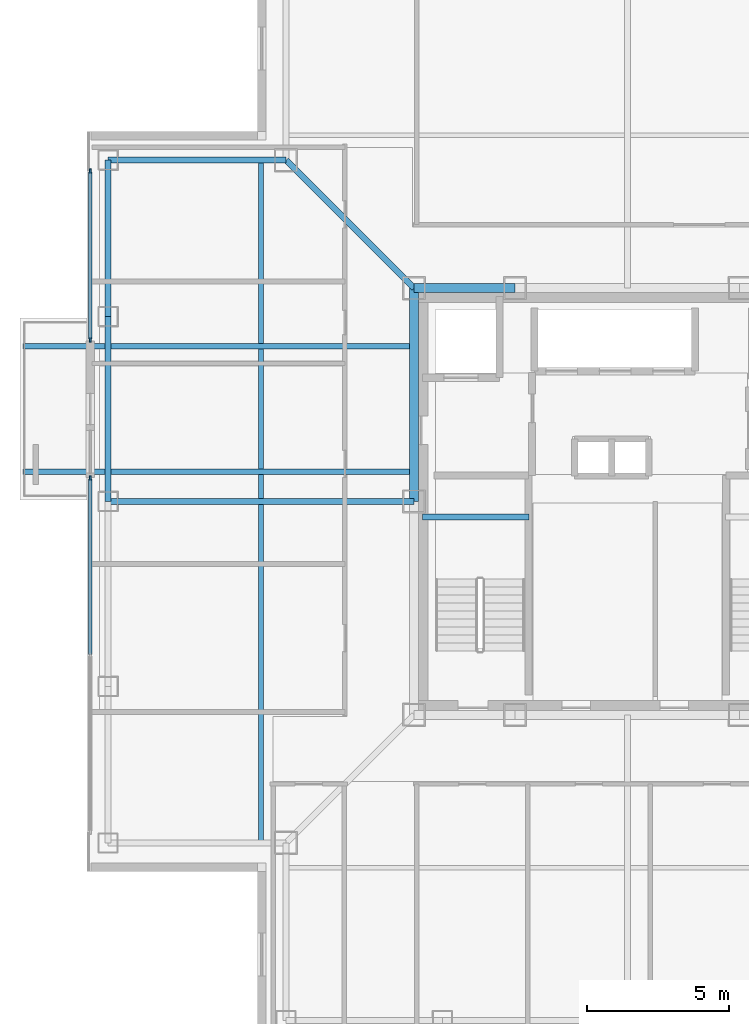
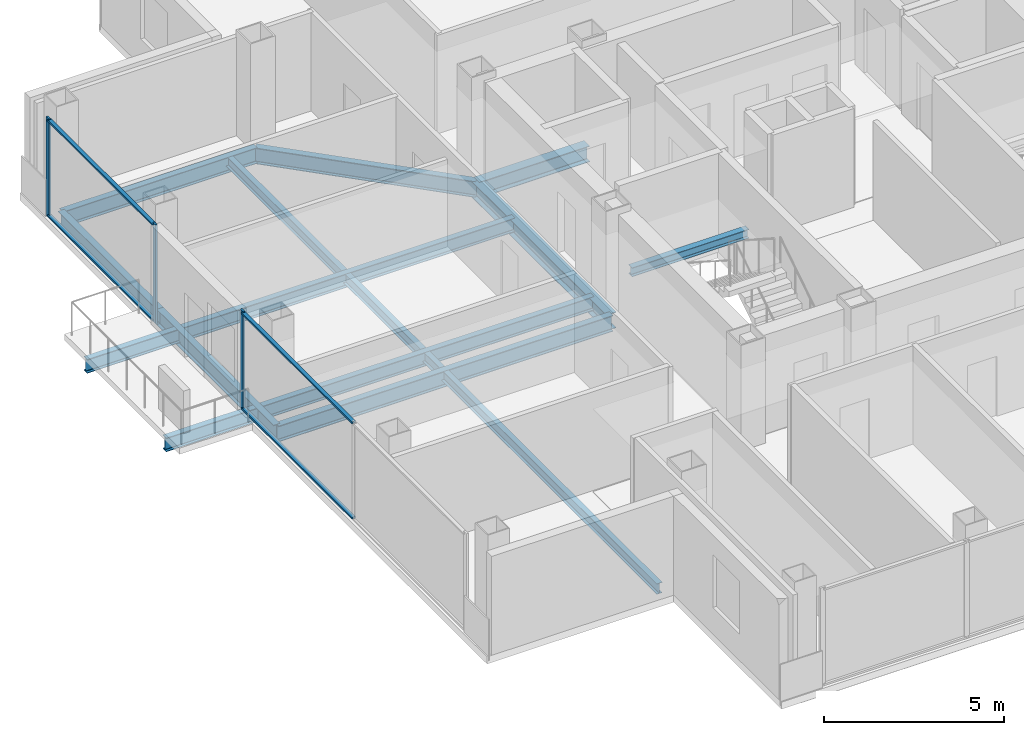
# One storey, part 4 of 13: 11 beams, 7 members, 2 elements without a shape of their own.
"""IFC4 building model written with IfcOpenShell, lengths in metres."""

from ifc_helpers import new_model, si_unit, direction, frame, origin, origin_2d, place, context, subcontext, project, spatial, rectangle, i_section, extrude, material, layer, layer_set, material_profile, profile_set, type_object, element, aggregate, save


model = new_model("IFC4")

# Units and contexts
model_context = context("Model", 3, precision=1e-05, world=origin(), true_north=direction((0.0, 1.0)))
body_context = subcontext(model_context, "Body", "Model", "MODEL_VIEW")
ifc_project = project(units=[si_unit("LENGTHUNIT", "METRE"), si_unit("AREAUNIT", "SQUARE_METRE"), si_unit("VOLUMEUNIT", "CUBIC_METRE"), si_unit("PLANEANGLEUNIT", "RADIAN"), si_unit("MASSUNIT", "GRAM", prefix="KILO")], contexts=[model_context])

# Site, building, storey
site_placement = place(None, origin())
site = spatial("IfcSite", under=ifc_project, at=site_placement, CompositionType="ELEMENT")
building_placement = place(site_placement, origin())
building = spatial("IfcBuilding", under=site, at=building_placement, Name="Trevonay Congress Spire", CompositionType="ELEMENT")
storey_placement = place(building_placement, frame((0.0, 0.0, 286.39990234375)))
storey = spatial("IfcBuildingStorey", under=building, at=storey_placement, Name="L75", CompositionType="ELEMENT", Elevation=286.39990234375)

# Beams
ifc_material_1 = material(Name="Steel ASTM A572 Grade 50", Category="steel")
ifc_material_profile_1 = material_profile(ifc_material_1, i_section(OverallWidth=0.194091796875, OverallDepth=0.468994140625, WebThickness=0.011474609375, FlangeThickness=0.01953125, FilletRadius=0.013916015625, at=origin_2d()), Name="W460x106")
ifc_profile_set_1 = profile_set([ifc_material_profile_1], Name="Steel ASTM A572 Grade 50")
beam_type_1 = type_object("IfcBeamType", Name="BM-BAL-LOOKOUT", PredefinedType="BEAM", material=ifc_profile_set_1)
for number, where, z_axis, x_axis, name in (
    (1, (-7.5, 1.050048828125, -0.474365234375), (-1.0, 0.0, 0.0), (0.0, -1.0, 0.0), "L75 structural beam LKT-L75-W1"),
    (2, (-7.5, 5.449951171875, -0.474365234375), (-1.0, 0.0, 0.0), (0.0, -1.0, 0.0), "L75 structural beam LKT-L75-W2"),
):
    element("IfcBeam", number, at=place(storey_placement, frame(where, z_axis=z_axis, x_axis=x_axis)), inside=storey, type_object=beam_type_1, Name=name, PredefinedType="BEAM", context=body_context, shape_type="SweptSolid", body=[
        extrude(i_section(OverallWidth=0.194091796875, OverallDepth=0.468994140625, WebThickness=0.011474609375, FlangeThickness=0.01953125, FilletRadius=0.013916015625, at=origin_2d()), origin(), (0.0, 0.0, 1.0), 13.75),
    ])
ifc_material_profile_2 = material_profile(ifc_material_1, i_section(OverallWidth=0.2119140625, OverallDepth=0.5439453125, WebThickness=0.01318359375, FlangeThickness=0.021240234375, FilletRadius=0.014892578125, at=origin_2d()), Name="W530x123")
ifc_profile_set_2 = profile_set([ifc_material_profile_2], Name="Steel ASTM A572 Grade 50")
beam_type_2 = type_object("IfcBeamType", Name="BM-GIRD-W530X123", PredefinedType="BEAM", material=ifc_profile_set_2)
beam_1_placement = place(storey_placement, frame((-7.5, 7.5, -0.511962890625), z_axis=(-0.707106781187, 0.707106781187, 0.0), x_axis=(-0.707106781187, -0.707106781187, 0.0)))
element("IfcBeam", 3, at=beam_1_placement, inside=storey, type_object=beam_type_2, Name="L75 structural beam BM-L75-CDNW", PredefinedType="BEAM", context=body_context, shape_type="SweptSolid", body=[
    extrude(i_section(OverallWidth=0.2119140625, OverallDepth=0.5439453125, WebThickness=0.01318359375, FlangeThickness=0.021240234375, FilletRadius=0.014892578125, at=origin_2d()), origin(), (0.0, 0.0, 1.0), 6.364013671875),
])
beam_2_placement = place(storey_placement, frame((-7.5, 0.0, -0.511962890625), z_axis=(-1.0, 0.0, 0.0), x_axis=(0.0, -1.0, 0.0)))
element("IfcBeam", 4, at=beam_2_placement, inside=storey, type_object=beam_type_2, Name="L75 structural beam BM-L75-GC-W", PredefinedType="BEAM", context=body_context, shape_type="SweptSolid", body=[
    extrude(i_section(OverallWidth=0.2119140625, OverallDepth=0.5439453125, WebThickness=0.01318359375, FlangeThickness=0.021240234375, FilletRadius=0.014892578125, at=origin_2d()), origin(), (0.0, 0.0, 1.0), 10.75),
])
ifc_material_profile_3 = material_profile(ifc_material_1, i_section(OverallWidth=0.31201171875, OverallDepth=0.54296875, WebThickness=0.0126953125, FlangeThickness=0.020263671875, FilletRadius=0.014892578125, at=origin_2d()), Name="W530x150")
ifc_profile_set_3 = profile_set([ifc_material_profile_3], Name="Steel ASTM A572 Grade 50")
beam_type_3 = type_object("IfcBeamType", Name="BM-GIRD-W530X150", PredefinedType="BEAM", material=ifc_profile_set_3)
beam_3_placement = place(storey_placement, frame((-7.5, 7.5, -0.511474609375), z_axis=(1.0, 0.0, 0.0), x_axis=(0.0, 1.0, 0.0)))
element("IfcBeam", 5, at=beam_3_placement, inside=storey, type_object=beam_type_3, Name="L75 structural beam BM-L75-CR-N1", PredefinedType="BEAM", context=body_context, shape_type="SweptSolid", body=[
    extrude(i_section(OverallWidth=0.31201171875, OverallDepth=0.54296875, WebThickness=0.0126953125, FlangeThickness=0.020263671875, FilletRadius=0.014892578125, at=origin_2d()), origin(), (0.0, 0.0, 1.0), 3.550048828125),
])
beam_4_placement = place(storey_placement, frame((-7.5, 0.0, -0.511474609375), z_axis=(0.0, 1.0, 0.0), x_axis=(-1.0, 0.0, 0.0)))
element("IfcBeam", 6, at=beam_4_placement, inside=storey, type_object=beam_type_3, Name="L75 structural beam BM-L75-CR-W2", PredefinedType="BEAM", context=body_context, shape_type="SweptSolid", body=[
    extrude(i_section(OverallWidth=0.31201171875, OverallDepth=0.54296875, WebThickness=0.0126953125, FlangeThickness=0.020263671875, FilletRadius=0.014892578125, at=origin_2d()), origin(), (0.0, 0.0, 1.0), 7.5),
])
ifc_material_profile_4 = material_profile(ifc_material_1, i_section(OverallWidth=0.208984375, OverallDepth=0.532958984375, WebThickness=0.01025390625, FlangeThickness=0.015625, FilletRadius=0.014892578125, at=origin_2d()), Name="W530x92")
ifc_profile_set_4 = profile_set([ifc_material_profile_4], Name="Steel ASTM A572 Grade 50")
beam_type_4 = type_object("IfcBeamType", Name="BM-RING-W530X92", PredefinedType="BEAM", material=ifc_profile_set_4)
beam_5_placement = place(storey_placement, frame((-18.25, 0.0, -0.50634765625), z_axis=(0.0, 1.0, 0.0), x_axis=(-1.0, 0.0, 0.0)))
element("IfcBeam", 7, at=beam_5_placement, inside=storey, type_object=beam_type_4, Name="L75 structural beam BM-L75-PW3", PredefinedType="BEAM", context=body_context, shape_type="SweptSolid", body=[
    extrude(i_section(OverallWidth=0.208984375, OverallDepth=0.532958984375, WebThickness=0.01025390625, FlangeThickness=0.015625, FilletRadius=0.014892578125, at=origin_2d()), origin(), (0.0, 0.0, 1.0), 6.5),
])
beam_6_placement = place(storey_placement, frame((-18.25, 6.5, -0.50634765625), z_axis=(0.0, 1.0, 0.0), x_axis=(-1.0, 0.0, 0.0)))
element("IfcBeam", 8, at=beam_6_placement, inside=storey, type_object=beam_type_4, Name="L75 structural beam BM-L75-PW4", PredefinedType="BEAM", context=body_context, shape_type="SweptSolid", body=[
    extrude(i_section(OverallWidth=0.208984375, OverallDepth=0.532958984375, WebThickness=0.01025390625, FlangeThickness=0.015625, FilletRadius=0.014892578125, at=origin_2d()), origin(), (0.0, 0.0, 1.0), 5.5),
])
beam_7_placement = place(storey_placement, frame((-18.25, 12.0, -0.50634765625), z_axis=(1.0, 0.0, 0.0), x_axis=(0.0, 1.0, 0.0)))
element("IfcBeam", 9, at=beam_7_placement, inside=storey, type_object=beam_type_4, Name="L75 structural beam BM-L75-N2NW", PredefinedType="BEAM", context=body_context, shape_type="SweptSolid", body=[
    extrude(i_section(OverallWidth=0.208984375, OverallDepth=0.532958984375, WebThickness=0.01025390625, FlangeThickness=0.015625, FilletRadius=0.014892578125, at=origin_2d()), origin(), (0.0, 0.0, 1.0), 6.25),
])

# Curtain wall, member
ifc_material_2 = material(Name="Pale Anodised Aluminium EN AW-6063-T6", Category="aluminium")
ifc_layer = layer(ifc_material_2, 0.1650390625, Name="Pale Anodised Aluminium EN AW-6063-T6")
ifc_layer_set = layer_set([ifc_layer], Name="Pale Anodised Aluminium EN AW-6063-T6")
curtain_wall_type = type_object("IfcCurtainWallType", Name="CW-SYS05-DIPLOM-PALE-METAL", PredefinedType="NOTDEFINED", material=ifc_layer_set)
curtain_wall_1_placement = place(storey_placement, origin())
curtain_wall_1 = element("IfcCurtainWall", 10, at=curtain_wall_1_placement, inside=storey, type_object=curtain_wall_type, Name="L75 WA unitised curtain wall", PredefinedType="NOTDEFINED")
ifc_material_profile_5 = material_profile(ifc_material_2, rectangle(XDim=0.06005859375, YDim=0.159912109375, at=origin_2d()), Name="CW-MULLION-160-ALUMINIUM")
ifc_profile_set_5 = profile_set([ifc_material_profile_5], Name="Pale Anodised Aluminium EN AW-6063-T6")
member_type_1 = type_object("IfcMemberType", Name="CW-MULLION-160-ALUMINIUM", PredefinedType="MULLION", material=ifc_profile_set_5)
member_1_placement = place(storey_placement, frame((-18.8798828125, 0.820068359375, 0.0), z_axis=(0.0, 0.0, 1.0), x_axis=(-1.0, 0.0, 0.0)))
member_1 = element("IfcMember", 11, at=member_1_placement, type_object=member_type_1, Name="CW05 mullion 3", PredefinedType="MULLION", context=body_context, shape_type="SweptSolid", body=[
    extrude(rectangle(XDim=0.06005859375, YDim=0.159912109375, at=origin_2d()), origin(), (0.0, 0.0, 1.0), 3.360107421875),
])

# Curtain wall, members
curtain_wall_2_placement = place(storey_placement, origin())
curtain_wall_2 = element("IfcCurtainWall", 12, at=curtain_wall_2_placement, inside=storey, type_object=curtain_wall_type, Name="L75 WB unitised curtain wall", PredefinedType="NOTDEFINED")
member_2_placement = place(storey_placement, frame((-18.8798828125, 5.679931640625, 0.0), z_axis=(0.0, 0.0, 1.0), x_axis=(-1.0, 0.0, 0.0)))
member_2 = element("IfcMember", 13, at=member_2_placement, type_object=member_type_1, Name="CW05 mullion 1", PredefinedType="MULLION", context=body_context, shape_type="SweptSolid", body=[
    extrude(rectangle(XDim=0.06005859375, YDim=0.159912109375, at=origin_2d()), origin(), (0.0, 0.0, 1.0), 3.360107421875),
])
member_3_placement = place(storey_placement, frame((-18.8798828125, 11.6201171875, 0.0), z_axis=(0.0, 0.0, 1.0), x_axis=(-1.0, 0.0, 0.0)))
member_3 = element("IfcMember", 14, at=member_3_placement, type_object=member_type_1, Name="CW05 mullion 2", PredefinedType="MULLION", context=body_context, shape_type="SweptSolid", body=[
    extrude(rectangle(XDim=0.06005859375, YDim=0.159912109375, at=origin_2d()), origin(), (0.0, 0.0, 1.0), 3.360107421875),
])

# Member
ifc_material_profile_6 = material_profile(ifc_material_2, rectangle(XDim=0.1201171875, YDim=0.06005859375, at=origin_2d()), Name="CW-TRANSOM-120-ALUMINIUM")
ifc_profile_set_6 = profile_set([ifc_material_profile_6], Name="Pale Anodised Aluminium EN AW-6063-T6")
member_type_2 = type_object("IfcMemberType", Name="CW-TRANSOM-120-ALUMINIUM", PredefinedType="USERDEFINED", material=ifc_profile_set_6)
member_4_placement = place(storey_placement, frame((-18.8798828125, -5.3701171875, 0.06005859375), z_axis=(0.0, 1.0, 0.0), x_axis=(-1.0, 0.0, 0.0)))
member_4 = element("IfcMember", 15, at=member_4_placement, type_object=member_type_2, Name="CW05 transom 2.1", ObjectType="TRANSOM", PredefinedType="USERDEFINED", context=body_context, shape_type="SweptSolid", body=[
    extrude(rectangle(XDim=0.1201171875, YDim=0.06005859375, at=origin_2d()), origin(), (0.0, 0.0, 1.0), 6.16015625),
])

member_5_placement = place(storey_placement, frame((-18.8798828125, -5.3701171875, 3.300048828125), z_axis=(0.0, 1.0, 0.0), x_axis=(-1.0, 0.0, 0.0)))
member_5 = element("IfcMember", 16, at=member_5_placement, type_object=member_type_2, Name="CW05 transom 2.2", ObjectType="TRANSOM", PredefinedType="USERDEFINED", context=body_context, shape_type="SweptSolid", body=[
    extrude(rectangle(XDim=0.1201171875, YDim=0.06005859375, at=origin_2d()), origin(), (0.0, 0.0, 1.0), 6.16015625),
])

aggregate(curtain_wall_1, [member_1, member_4, member_5])

member_6_placement = place(storey_placement, frame((-18.8798828125, 5.7099609375, 0.06005859375), z_axis=(0.0, 1.0, 0.0), x_axis=(-1.0, 0.0, 0.0)))
member_6 = element("IfcMember", 17, at=member_6_placement, type_object=member_type_2, Name="CW05 transom 1.1", ObjectType="TRANSOM", PredefinedType="USERDEFINED", context=body_context, shape_type="SweptSolid", body=[
    extrude(rectangle(XDim=0.1201171875, YDim=0.06005859375, at=origin_2d()), origin(), (0.0, 0.0, 1.0), 5.880126953125),
])

member_7_placement = place(storey_placement, frame((-18.8798828125, 5.7099609375, 3.300048828125), z_axis=(0.0, 1.0, 0.0), x_axis=(-1.0, 0.0, 0.0)))
member_7 = element("IfcMember", 18, at=member_7_placement, type_object=member_type_2, Name="CW05 transom 1.2", ObjectType="TRANSOM", PredefinedType="USERDEFINED", context=body_context, shape_type="SweptSolid", body=[
    extrude(rectangle(XDim=0.1201171875, YDim=0.06005859375, at=origin_2d()), origin(), (0.0, 0.0, 1.0), 5.880126953125),
])

aggregate(curtain_wall_2, [member_2, member_3, member_6, member_7])

# Beams
ifc_material_profile_7 = material_profile(ifc_material_1, i_section(OverallWidth=0.172119140625, OverallDepth=0.35791015625, WebThickness=0.0078125, FlangeThickness=0.01318359375, FilletRadius=0.011962890625, at=origin_2d()), Name="W360x57.8")
ifc_profile_set_7 = profile_set([ifc_material_profile_7], Name="Steel ASTM A572 Grade 50")
beam_type_5 = type_object("IfcBeamType", Name="JS-COMP-W360X57", PredefinedType="JOIST", material=ifc_profile_set_7)
beam_8_placement = place(storey_placement, frame((-12.875, -12.0, -0.4189453125), z_axis=(0.0, 1.0, 0.0), x_axis=(-1.0, 0.0, 0.0)))
element("IfcBeam", 19, at=beam_8_placement, inside=storey, type_object=beam_type_5, Name="L75 structural beam JS-L75-RING-W", PredefinedType="JOIST", context=body_context, shape_type="SweptSolid", body=[
    extrude(i_section(OverallWidth=0.172119140625, OverallDepth=0.35791015625, WebThickness=0.0078125, FlangeThickness=0.01318359375, FilletRadius=0.011962890625, at=origin_2d()), origin(), (0.0, 0.0, 1.0), 24.0),
])
ifc_material_profile_8 = material_profile(ifc_material_1, i_section(OverallWidth=0.2041015625, OverallDepth=0.305908203125, WebThickness=0.008544921875, FlangeThickness=0.0146484375, FilletRadius=0.010986328125, at=origin_2d()), Name="W310x67")
ifc_profile_set_8 = profile_set([ifc_material_profile_8], Name="Steel ASTM A572 Grade 50")
beam_type_6 = type_object("IfcBeamType", Name="LN-CORE-W310X67", PredefinedType="LINTEL", material=ifc_profile_set_8)
beam_9_placement = place(storey_placement, frame((-7.199951171875, -0.550048828125, 1.447021484375), z_axis=(1.0, 0.0, 0.0), x_axis=(0.0, 1.0, 0.0)))
element("IfcBeam", 20, at=beam_9_placement, inside=storey, type_object=beam_type_6, Name="L75 structural beam BM-L75-HL-ST1", PredefinedType="LINTEL", context=body_context, shape_type="SweptSolid", body=[
    extrude(i_section(OverallWidth=0.2041015625, OverallDepth=0.305908203125, WebThickness=0.008544921875, FlangeThickness=0.0146484375, FilletRadius=0.010986328125, at=origin_2d()), origin(), (0.0, 0.0, 1.0), 3.75),
])

save(model, "model.ifc")
